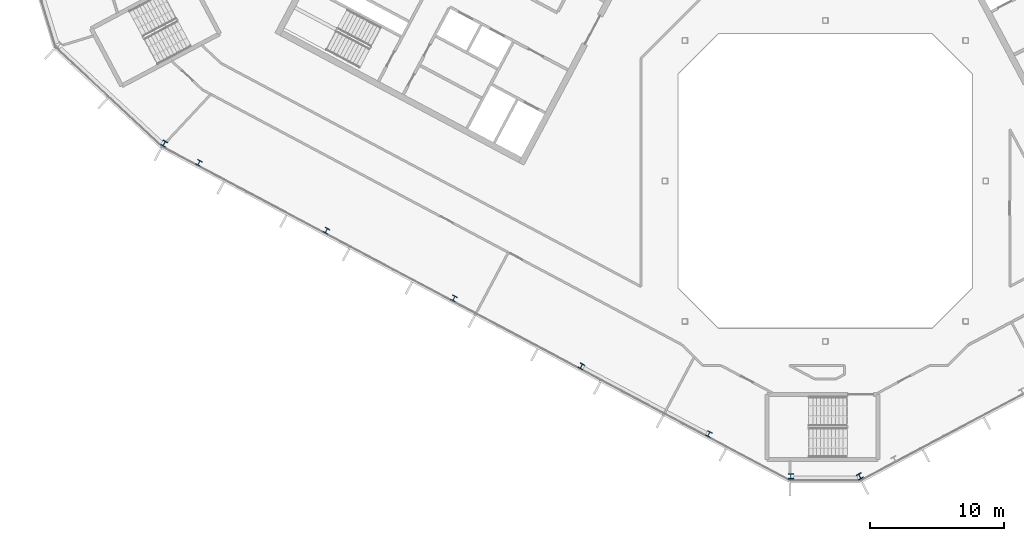
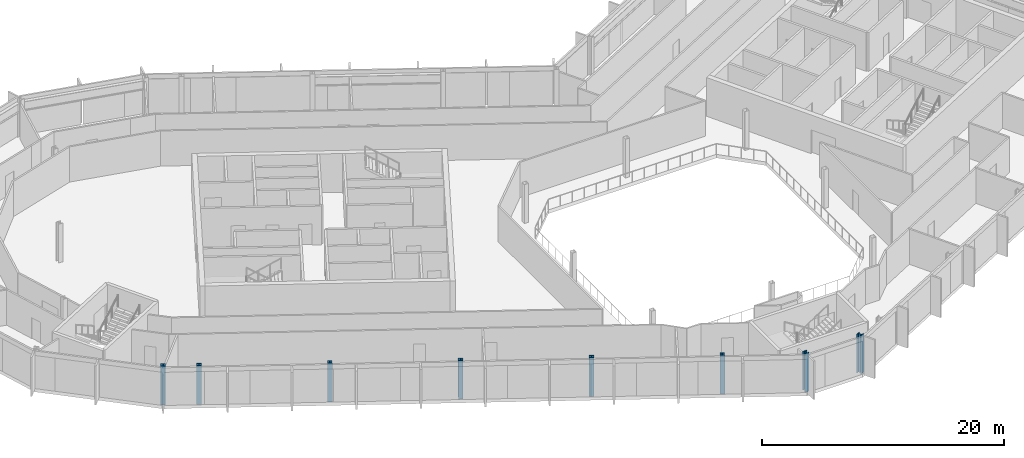
# One storey, part 1 of 26: 8 columns.
"""IFC4 building model written with IfcOpenShell, lengths in metres."""

from ifc_helpers import new_model, si_unit, direction, frame, origin, origin_2d, place, context, subcontext, project, spatial, i_section, extrude, material, material_profile, profile_set, type_object, element, save


model = new_model("IFC4")

# Units and contexts
model_context = context("Model", 3, precision=1e-05, world=origin(), true_north=direction((0.0, 1.0)))
body_context = subcontext(model_context, "Body", "Model", "MODEL_VIEW")
ifc_project = project(units=[si_unit("LENGTHUNIT", "METRE"), si_unit("AREAUNIT", "SQUARE_METRE"), si_unit("VOLUMEUNIT", "CUBIC_METRE"), si_unit("PLANEANGLEUNIT", "RADIAN"), si_unit("MASSUNIT", "GRAM", prefix="KILO")], contexts=[model_context])

# Site, building, storey
site_placement = place(None, origin())
site = spatial("IfcSite", under=ifc_project, at=site_placement, CompositionType="ELEMENT")
building_placement = place(site_placement, origin())
building = spatial("IfcBuilding", under=site, at=building_placement, Name="Cormorant Relay Tower", CompositionType="ELEMENT")
storey_placement = place(building_placement, frame((0.0, 0.0, 312.60009765625)))
storey = spatial("IfcBuildingStorey", under=building, at=storey_placement, Name="L71", CompositionType="ELEMENT", Elevation=312.60009765625)

# Columns
ifc_material_1 = material(Name="Steel ASTM A992 (Fy 345 MPa)", Category="steel")
ifc_material_profile_1 = material_profile(ifc_material_1, i_section(OverallWidth=0.398681640625, OverallDepth=0.385986328125, WebThickness=0.02099609375, FlangeThickness=0.033203125, FilletRadius=0.01513671875, at=origin_2d()), Name="W360x262")
ifc_profile_set_1 = profile_set([ifc_material_profile_1], Name="Steel ASTM A992 (Fy 345 MPa)")
column_type_1 = type_object("IfcColumnType", Name="Column W360x262", PredefinedType="COLUMN", material=ifc_profile_set_1)
for number, where, z_axis, x_axis, name in (
    (1, (-8.705078125, -18.928955078125, 0.0), (0.0, 0.0, 1.0), (0.882947592859, -0.469471562786, 0.0), "Column L71-004"),
    (2, (-18.240966796875, -13.85791015625, 0.0), (0.0, 0.0, 1.0), (0.882947592859, -0.469471562786, 0.0), "Column L71-006"),
    (3, (-27.777099609375, -8.7880859375, 0.0), (0.0, 0.0, 1.0), (0.882947592859, -0.469471562786, 0.0), "Column L71-011"),
    (4, (-37.31298828125, -3.718017578125, 0.0), (0.0, 0.0, 1.0), (0.882947592859, -0.469471562786, 0.0), "Column L71-013"),
    (5, (-46.84912109375, 1.35205078125, 0.0), (0.0, 0.0, 1.0), (0.882947592859, -0.469471562786, 0.0), "Column L71-017"),
):
    element("IfcColumn", number, at=place(storey_placement, frame(where, z_axis=z_axis, x_axis=x_axis)), inside=storey, type_object=column_type_1, Name=name, PredefinedType="COLUMN", context=body_context, shape_type="SweptSolid", body=[
        extrude(i_section(OverallWidth=0.398681640625, OverallDepth=0.385986328125, WebThickness=0.02099609375, FlangeThickness=0.033203125, FilletRadius=0.01513671875, at=origin_2d()), origin(), (0.0, 0.0, 1.0), 3.89990234375),
    ])
ifc_material_2 = material(Name="Steel ASTM A992 (Fy 345 MPa)", Category="steel")
ifc_material_profile_2 = material_profile(ifc_material_2, i_section(OverallWidth=0.40380859375, OverallDepth=0.406494140625, WebThickness=0.027099609375, FlangeThickness=0.043701171875, FilletRadius=0.01513671875, at=origin_2d()), Name="W360x347")
ifc_profile_set_2 = profile_set([ifc_material_profile_2], Name="Steel ASTM A992 (Fy 345 MPa)")
column_type_2 = type_object("IfcColumnType", Name="Column W360x347", PredefinedType="COLUMN", material=ifc_profile_set_2)
for number, where, z_axis, x_axis, name in (
    (6, (-2.5791015625, -22.093994140625, 0.0), (0.0, 0.0, 1.0), (1.0, 0.0, 0.0), "Column L71-001"),
    (7, (2.5791015625, -22.093994140625, 0.0), (0.0, 0.0, 1.0), (0.882947592859, 0.469471562786, 0.0), "Column L71-002"),
    (8, (-49.44091796875, 2.7958984375, 0.0), (0.0, 0.0, 1.0), (0.882947592859, -0.469471562786, 0.0), "Column L71-018"),
):
    element("IfcColumn", number, at=place(storey_placement, frame(where, z_axis=z_axis, x_axis=x_axis)), inside=storey, type_object=column_type_2, Name=name, PredefinedType="COLUMN", context=body_context, shape_type="SweptSolid", body=[
        extrude(i_section(OverallWidth=0.40380859375, OverallDepth=0.406494140625, WebThickness=0.027099609375, FlangeThickness=0.043701171875, FilletRadius=0.01513671875, at=origin_2d()), origin(), (0.0, 0.0, 1.0), 3.89990234375),
    ])

save(model, "model.ifc")
